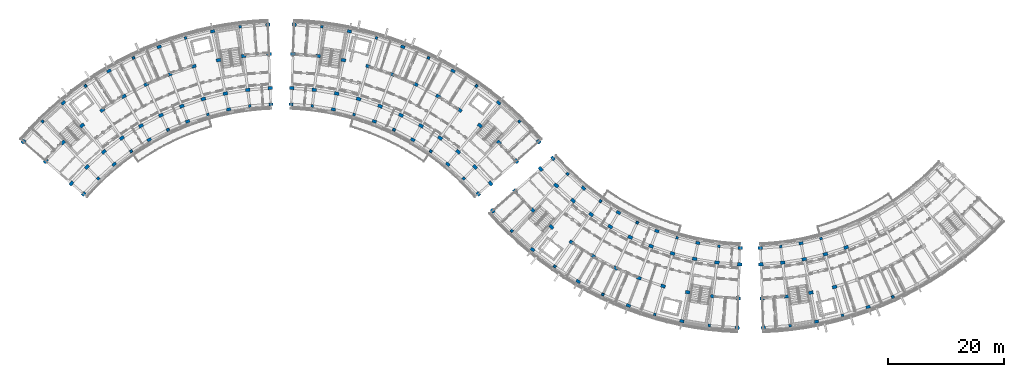
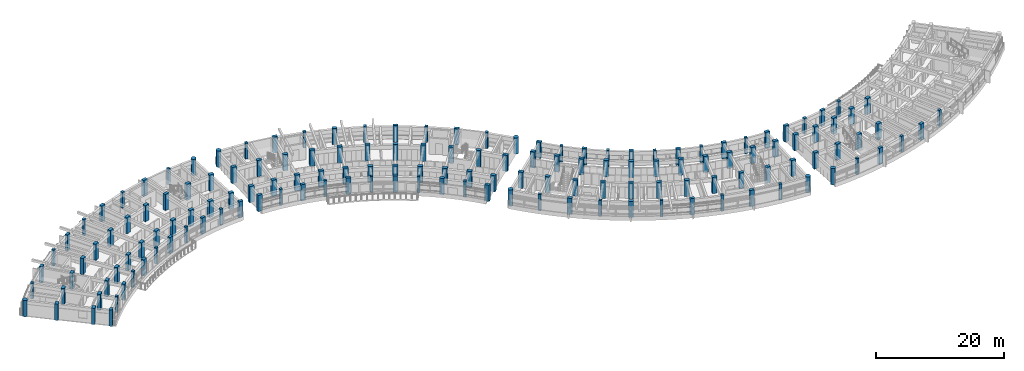
# One storey, part 1 of 56: 151 columns.
"""IFC4 building model written with IfcOpenShell, lengths in metres."""

from ifc_helpers import new_model, si_unit, direction, frame, origin, origin_2d, place, context, subcontext, project, spatial, rectangle, circle, extrude, material, material_profile, profile_set, type_object, element, save


model = new_model("IFC4")

# Units and contexts
model_context = context("Model", 3, precision=1e-05, world=origin(), true_north=direction((0.0, 1.0)))
body_context = subcontext(model_context, "Body", "Model", "MODEL_VIEW")
ifc_project = project(units=[si_unit("LENGTHUNIT", "METRE"), si_unit("AREAUNIT", "SQUARE_METRE"), si_unit("VOLUMEUNIT", "CUBIC_METRE"), si_unit("PLANEANGLEUNIT", "RADIAN"), si_unit("MASSUNIT", "GRAM", prefix="KILO")], contexts=[model_context])

# Site, building, storey
site_placement = place(None, origin())
site = spatial("IfcSite", under=ifc_project, at=site_placement, CompositionType="ELEMENT")
building_placement = place(site_placement, origin())
building = spatial("IfcBuilding", under=site, at=building_placement, Name="Zimvara Arc Housing Community", CompositionType="ELEMENT")
storey_placement = place(building_placement, frame((0.0, 0.0, 17.39990234375)))
storey = spatial("IfcBuildingStorey", under=building, at=storey_placement, Name="L05", CompositionType="ELEMENT", Elevation=17.39990234375)

# Columns
ifc_material_1 = material(Name="Concrete C40/50", Category="concrete")
ifc_material_profile_1 = material_profile(ifc_material_1, rectangle(XDim=0.449951171875, YDim=0.449951171875, at=origin_2d()), Name="RC 450x450")
ifc_profile_set_1 = profile_set([ifc_material_profile_1], Name="Concrete C40/50")
column_type_1 = type_object("IfcColumnType", Name="COL-RC-450x450", PredefinedType="COLUMN", material=ifc_profile_set_1)
for number, where, z_axis, x_axis, name in (
    (1, (13.476318359375, 76.781005859375, 0.0), (0.0, 0.0, 1.0), (-0.698665066769, 0.715448897181, 0.0), "col:blkA:L05:b1:r0"),
    (2, (3.862548828125, 86.625732421875, 0.0), (0.0, 0.0, 1.0), (-0.698665066769, 0.715448897181, 0.0), "col:blkA:L05:b1:r3"),
    (3, (19.14599609375, 81.478271484375, 0.0), (0.0, 0.0, 1.0), (-0.573004420611, 0.819552276527, 0.0), "col:blkA:L05:b3:r0"),
    (4, (11.261474609375, 92.755126953125, 0.0), (0.0, 0.0, 1.0), (-0.573004420611, 0.819552276527, 0.0), "col:blkA:L05:b3:r3"),
    (5, (25.50439453125, 85.190673828125, 0.0), (0.0, 0.0, 1.0), (-0.432085748802, 0.901832526405, 0.0), "col:blkA:L05:b5:r0"),
    (6, (19.558837890625, 97.599853515625, 0.0), (0.0, 0.0, 1.0), (-0.432085748802, 0.901832526405, 0.0), "col:blkA:L05:b5:r3"),
    (7, (32.381591796875, 87.819580078125, 0.0), (0.0, 0.0, 1.0), (-0.27966144946, 0.96009867914, 0.0), "col:blkA:L05:b7:r0"),
    (8, (28.533447265625, 101.030517578125, 0.0), (0.0, 0.0, 1.0), (-0.27966144946, 0.96009867914, 0.0), "col:blkA:L05:b7:r3"),
    (9, (39.594970703125, 89.295166015625, 0.0), (0.0, 0.0, 1.0), (-0.119790293837, 0.992799217114, 0.0), "col:blkA:L05:b9:r0"),
    (10, (37.94677734375, 102.9560546875, 0.0), (0.0, 0.0, 1.0), (-0.119790293837, 0.992799217114, 0.0), "col:blkA:L05:b9:r3"),
    (11, (50.405029296875, 89.295166015625, 0.0), (0.0, 0.0, 1.0), (0.119790293837, 0.992799217114, 0.0), "col:blkB:L05:b1:r0"),
    (12, (52.05322265625, 102.9560546875, 0.0), (0.0, 0.0, 1.0), (0.119790293837, 0.992799217114, 0.0), "col:blkB:L05:b1:r3"),
    (13, (57.618408203125, 87.819580078125, 0.0), (0.0, 0.0, 1.0), (0.27966144946, 0.96009867914, 0.0), "col:blkB:L05:b3:r0"),
    (14, (61.466552734375, 101.030517578125, 0.0), (0.0, 0.0, 1.0), (0.27966144946, 0.96009867914, 0.0), "col:blkB:L05:b3:r3"),
    (15, (64.49560546875, 85.190673828125, 0.0), (0.0, 0.0, 1.0), (0.432085748802, 0.901832526405, 0.0), "col:blkB:L05:b5:r0"),
    (16, (70.441162109375, 97.599853515625, 0.0), (0.0, 0.0, 1.0), (0.432085748802, 0.901832526405, 0.0), "col:blkB:L05:b5:r3"),
    (17, (70.85400390625, 81.478271484375, 0.0), (0.0, 0.0, 1.0), (0.573004420611, 0.819552276527, 0.0), "col:blkB:L05:b7:r0"),
    (18, (78.738525390625, 92.755126953125, 0.0), (0.0, 0.0, 1.0), (0.573004420611, 0.819552276527, 0.0), "col:blkB:L05:b7:r3"),
    (19, (76.523681640625, 76.781005859375, 0.0), (0.0, 0.0, 1.0), (0.698665066769, 0.715448897181, 0.0), "col:blkB:L05:b9:r0"),
    (20, (86.137451171875, 86.625732421875, 0.0), (0.0, 0.0, 1.0), (0.698665066769, 0.715448897181, 0.0), "col:blkB:L05:b9:r3"),
    (21, (94.456298828125, 77.578857421875, 0.0), (0.0, 0.0, 1.0), (-0.698665066769, -0.715448897181, 0.0), "col:blkC:L05:b1:r0"),
    (22, (84.842529296875, 67.734375, 0.0), (0.0, 0.0, 1.0), (-0.698665066769, -0.715448897181, 0.0), "col:blkC:L05:b1:r3"),
    (23, (100.1259765625, 72.8818359375, 0.0), (0.0, 0.0, 1.0), (-0.573004420611, -0.819552276527, 0.0), "col:blkC:L05:b3:r0"),
    (24, (92.241455078125, 61.604736328125, 0.0), (0.0, 0.0, 1.0), (-0.573004420611, -0.819552276527, 0.0), "col:blkC:L05:b3:r3"),
    (25, (106.484375, 69.16943359375, 0.0), (0.0, 0.0, 1.0), (-0.432085748802, -0.901832526405, 0.0), "col:blkC:L05:b5:r0"),
    (26, (100.538818359375, 56.760009765625, 0.0), (0.0, 0.0, 1.0), (-0.432085748802, -0.901832526405, 0.0), "col:blkC:L05:b5:r3"),
    (27, (113.361572265625, 66.540283203125, 0.0), (0.0, 0.0, 1.0), (-0.27966144946, -0.96009867914, 0.0), "col:blkC:L05:b7:r0"),
    (28, (109.513427734375, 53.329345703125, 0.0), (0.0, 0.0, 1.0), (-0.27966144946, -0.96009867914, 0.0), "col:blkC:L05:b7:r3"),
    (29, (120.574951171875, 65.06494140625, 0.0), (0.0, 0.0, 1.0), (-0.119790293837, -0.992799217114, 0.0), "col:blkC:L05:b9:r0"),
    (30, (118.9267578125, 51.404052734375, 0.0), (0.0, 0.0, 1.0), (-0.119790293837, -0.992799217114, 0.0), "col:blkC:L05:b9:r3"),
    (31, (131.244140625, 65.048095703125, 0.0), (0.0, 0.0, 1.0), (0.116670737099, -0.993170649538, 0.0), "col:blkD:L05:b1:r0"),
    (32, (132.849609375, 51.382080078125, 0.0), (0.0, 0.0, 1.0), (0.116670737099, -0.993170649538, 0.0), "col:blkD:L05:b1:r3"),
    (33, (138.189453125, 66.42333984375, 0.0), (0.0, 0.0, 1.0), (0.270600445976, -0.962691746426, 0.0), "col:blkD:L05:b3:r0"),
    (34, (141.912841796875, 53.1767578125, 0.0), (0.0, 0.0, 1.0), (0.270600445976, -0.962691746426, 0.0), "col:blkD:L05:b3:r3"),
    (35, (150.583984375, 56.366943359375, 0.0), (0.0, 0.0, 1.0), (0.417867073801, -0.908508177527, 0.0), "col:blkD:L05:b5:r3"),
):
    element("IfcColumn", number, at=place(storey_placement, frame(where, z_axis=z_axis, x_axis=x_axis)), inside=storey, type_object=column_type_1, Name=name, PredefinedType="COLUMN", context=body_context, shape_type="SweptSolid", body=[
        extrude(rectangle(XDim=0.449951171875, YDim=0.449951171875, at=origin_2d()), origin(), (0.0, 0.0, 1.0), 3.10009765625),
    ])
ifc_material_2 = material(Name="Concrete C40/50", Category="concrete")
ifc_material_profile_2 = material_profile(ifc_material_2, rectangle(XDim=0.5, YDim=0.75, at=origin_2d()), Name="RC 500x750")
ifc_profile_set_2 = profile_set([ifc_material_profile_2], Name="Concrete C40/50")
column_type_2 = type_object("IfcColumnType", Name="COL-RC-500x750", PredefinedType="COLUMN", material=ifc_profile_set_2)
for number, where, z_axis, x_axis, name in (
    (36, (10.947509765625, 74.101318359375, 0.0), (0.0, 0.0, 1.0), (-0.754709580223, 0.656059028991, 0.0), "col:blkA:L05:b0:r0"),
    (37, (16.215087890625, 79.245361328125, 0.0), (0.0, 0.0, 1.0), (-0.637961754089, 0.770068049148, 0.0), "col:blkA:L05:b2:r0"),
    (38, (7.436767578125, 89.841552734375, 0.0), (0.0, 0.0, 1.0), (-0.637961754089, 0.770068049148, 0.0), "col:blkA:L05:b2:r3"),
    (39, (22.249267578125, 83.46435546875, 0.0), (0.0, 0.0, 1.0), (-0.504226211181, 0.863571611366, 0.0), "col:blkA:L05:b4:r0"),
    (40, (15.311279296875, 95.34716796875, 0.0), (0.0, 0.0, 1.0), (-0.504226211181, 0.863571611366, 0.0), "col:blkA:L05:b4:r3"),
    (41, (28.88916015625, 86.645751953125, 0.0), (0.0, 0.0, 1.0), (-0.357064076459, 0.934079892355, 0.0), "col:blkA:L05:b6:r0"),
    (42, (23.97607421875, 99.49853515625, 0.0), (0.0, 0.0, 1.0), (-0.357064076459, 0.934079892355, 0.0), "col:blkA:L05:b6:r3"),
    (43, (35.958251953125, 88.704833984375, 0.0), (0.0, 0.0, 1.0), (-0.200393999665, 0.979715389742, 0.0), "col:blkA:L05:b8:r0"),
    (44, (33.20068359375, 102.185546875, 0.0), (0.0, 0.0, 1.0), (-0.200393999665, 0.979715389742, 0.0), "col:blkA:L05:b8:r3"),
    (45, (43.267822265625, 89.586669921875, 0.0), (0.0, 0.0, 1.0), (-0.038387809088, 0.999262916411, 0.0), "col:blkA:L05:b10:r0"),
    (46, (46.732177734375, 89.586669921875, 0.0), (0.0, 0.0, 1.0), (0.038387809088, 0.999262916411, 0.0), "col:blkB:L05:b0:r0"),
    (47, (54.041748046875, 88.704833984375, 0.0), (0.0, 0.0, 1.0), (0.200393999665, 0.979715389742, 0.0), "col:blkB:L05:b2:r0"),
    (48, (56.79931640625, 102.185546875, 0.0), (0.0, 0.0, 1.0), (0.200393999665, 0.979715389742, 0.0), "col:blkB:L05:b2:r3"),
    (49, (61.11083984375, 86.645751953125, 0.0), (0.0, 0.0, 1.0), (0.357064076459, 0.934079892355, 0.0), "col:blkB:L05:b4:r0"),
    (50, (66.02392578125, 99.49853515625, 0.0), (0.0, 0.0, 1.0), (0.357064076459, 0.934079892355, 0.0), "col:blkB:L05:b4:r3"),
    (51, (67.750732421875, 83.46435546875, 0.0), (0.0, 0.0, 1.0), (0.504226211181, 0.863571611366, 0.0), "col:blkB:L05:b6:r0"),
    (52, (74.688720703125, 95.34716796875, 0.0), (0.0, 0.0, 1.0), (0.504226211181, 0.863571611366, 0.0), "col:blkB:L05:b6:r3"),
    (53, (73.784912109375, 79.245361328125, 0.0), (0.0, 0.0, 1.0), (0.637961754089, 0.770068049148, 0.0), "col:blkB:L05:b8:r0"),
    (54, (82.563232421875, 89.841552734375, 0.0), (0.0, 0.0, 1.0), (0.637961754089, 0.770068049148, 0.0), "col:blkB:L05:b8:r3"),
    (55, (79.052490234375, 74.101318359375, 0.0), (0.0, 0.0, 1.0), (0.754709580223, 0.656059028991, 0.0), "col:blkB:L05:b10:r0"),
    (56, (91.927490234375, 80.258544921875, 0.0), (0.0, 0.0, 1.0), (-0.754709580223, -0.656059028991, 0.0), "col:blkC:L05:b0:r0"),
    (57, (97.195068359375, 75.114501953125, 0.0), (0.0, 0.0, 1.0), (-0.637961754089, -0.770068049148, 0.0), "col:blkC:L05:b2:r0"),
    (58, (88.416748046875, 64.518310546875, 0.0), (0.0, 0.0, 1.0), (-0.637961754089, -0.770068049148, 0.0), "col:blkC:L05:b2:r3"),
    (59, (103.229248046875, 70.895751953125, 0.0), (0.0, 0.0, 1.0), (-0.504226211181, -0.863571611366, 0.0), "col:blkC:L05:b4:r0"),
    (60, (96.291259765625, 59.012939453125, 0.0), (0.0, 0.0, 1.0), (-0.504226211181, -0.863571611366, 0.0), "col:blkC:L05:b4:r3"),
    (61, (109.869384765625, 67.71435546875, 0.0), (0.0, 0.0, 1.0), (-0.357064076459, -0.934079892355, 0.0), "col:blkC:L05:b6:r0"),
    (62, (104.9560546875, 54.861328125, 0.0), (0.0, 0.0, 1.0), (-0.357064076459, -0.934079892355, 0.0), "col:blkC:L05:b6:r3"),
    (63, (116.938232421875, 65.6552734375, 0.0), (0.0, 0.0, 1.0), (-0.200393999665, -0.979715389742, 0.0), "col:blkC:L05:b8:r0"),
    (64, (114.180908203125, 52.17431640625, 0.0), (0.0, 0.0, 1.0), (-0.200393999665, -0.979715389742, 0.0), "col:blkC:L05:b8:r3"),
    (65, (124.248046875, 64.773193359375, 0.0), (0.0, 0.0, 1.0), (-0.038387809088, -0.999262916411, 0.0), "col:blkC:L05:b10:r0"),
    (66, (127.712158203125, 64.773193359375, 0.0), (0.0, 0.0, 1.0), (0.038387809088, -0.999262916411, 0.0), "col:blkD:L05:b0:r0"),
    (67, (134.743896484375, 65.599365234375, 0.0), (0.0, 0.0, 1.0), (0.19423435122, -0.980955155349, 0.0), "col:blkD:L05:b2:r0"),
    (68, (137.41650390625, 52.101318359375, 0.0), (0.0, 0.0, 1.0), (0.19423435122, -0.980955155349, 0.0), "col:blkD:L05:b2:r3"),
    (69, (146.311279296875, 54.6015625, 0.0), (0.0, 0.0, 1.0), (0.345298198999, -0.93849302276, 0.0), "col:blkD:L05:b4:r3"),
):
    element("IfcColumn", number, at=place(storey_placement, frame(where, z_axis=z_axis, x_axis=x_axis)), inside=storey, type_object=column_type_2, Name=name, PredefinedType="COLUMN", context=body_context, shape_type="SweptSolid", body=[
        extrude(rectangle(XDim=0.5, YDim=0.75, at=origin_2d()), origin(), (0.0, 0.0, 1.0), 3.10009765625),
    ])
ifc_material_3 = material(Name="Concrete C40/50", Category="concrete")
ifc_material_profile_3 = material_profile(ifc_material_3, rectangle(XDim=0.550048828125, YDim=0.800048828125, at=origin_2d()), Name="RC 550x800")
ifc_profile_set_3 = profile_set([ifc_material_profile_3], Name="Concrete C40/50")
column_type_3 = type_object("IfcColumnType", Name="COL-RC-550x800", PredefinedType="COLUMN", material=ifc_profile_set_3)
for number, where, z_axis, x_axis, name in (
    (70, (8.834228515625, 75.938232421875, 0.0), (0.0, 0.0, 1.0), (-0.754709580223, 0.656059028991, 0.0), "col:blkA:L05:b0:r1"),
    (71, (4.396728515625, 79.7958984375, 0.0), (0.0, 0.0, 1.0), (-0.754709580223, 0.656059028991, 0.0), "col:blkA:L05:b0:r2"),
    (72, (11.52001953125, 78.784423828125, 0.0), (0.0, 0.0, 1.0), (-0.698665066769, 0.715448897181, 0.0), "col:blkA:L05:b1:r1"),
    (73, (7.411865234375, 82.9912109375, 0.0), (0.0, 0.0, 1.0), (-0.698665066769, 0.715448897181, 0.0), "col:blkA:L05:b1:r2"),
    (74, (14.428955078125, 81.401611328125, 0.0), (0.0, 0.0, 1.0), (-0.637961754089, 0.770068049148, 0.0), "col:blkA:L05:b2:r1"),
    (75, (10.677734375, 85.9296875, 0.0), (0.0, 0.0, 1.0), (-0.637961754089, 0.770068049148, 0.0), "col:blkA:L05:b2:r2"),
    (76, (17.541748046875, 83.77294921875, 0.0), (0.0, 0.0, 1.0), (-0.573004420611, 0.819552276527, 0.0), "col:blkA:L05:b3:r1"),
    (77, (14.17236328125, 88.591796875, 0.0), (0.0, 0.0, 1.0), (-0.573004420611, 0.819552276527, 0.0), "col:blkA:L05:b3:r2"),
    (78, (20.83740234375, 85.88232421875, 0.0), (0.0, 0.0, 1.0), (-0.504226211181, 0.863571611366, 0.0), "col:blkA:L05:b4:r1"),
    (79, (17.87255859375, 90.960205078125, 0.0), (0.0, 0.0, 1.0), (-0.504226211181, 0.863571611366, 0.0), "col:blkA:L05:b4:r2"),
    (80, (24.29443359375, 87.7158203125, 0.0), (0.0, 0.0, 1.0), (-0.432085748802, 0.901832526405, 0.0), "col:blkA:L05:b5:r1"),
    (81, (21.75390625, 93.0185546875, 0.0), (0.0, 0.0, 1.0), (-0.432085748802, 0.901832526405, 0.0), "col:blkA:L05:b5:r2"),
    (82, (27.889404296875, 89.260986328125, 0.0), (0.0, 0.0, 1.0), (-0.357064076459, 0.934079892355, 0.0), "col:blkA:L05:b6:r1"),
    (83, (25.7900390625, 94.75341796875, 0.0), (0.0, 0.0, 1.0), (-0.357064076459, 0.934079892355, 0.0), "col:blkA:L05:b6:r2"),
    (84, (31.5986328125, 90.5078125, 0.0), (0.0, 0.0, 1.0), (-0.27966144946, 0.96009867914, 0.0), "col:blkA:L05:b7:r1"),
    (85, (29.9541015625, 96.1533203125, 0.0), (0.0, 0.0, 1.0), (-0.27966144946, 0.96009867914, 0.0), "col:blkA:L05:b7:r2"),
    (86, (35.397216796875, 91.447998046875, 0.0), (0.0, 0.0, 1.0), (-0.200393999665, 0.979715389742, 0.0), "col:blkA:L05:b8:r1"),
    (87, (34.21875, 97.208740234375, 0.0), (0.0, 0.0, 1.0), (-0.200393999665, 0.979715389742, 0.0), "col:blkA:L05:b8:r2"),
    (88, (39.259765625, 92.074951171875, 0.0), (0.0, 0.0, 1.0), (-0.119790293837, 0.992799217114, 0.0), "col:blkA:L05:b9:r1"),
    (89, (38.55517578125, 97.91259765625, 0.0), (0.0, 0.0, 1.0), (-0.119790293837, 0.992799217114, 0.0), "col:blkA:L05:b9:r2"),
    (90, (43.160400390625, 92.384765625, 0.0), (0.0, 0.0, 1.0), (-0.038387809088, 0.999262916411, 0.0), "col:blkA:L05:b10:r1"),
    (91, (42.934814453125, 98.26025390625, 0.0), (0.0, 0.0, 1.0), (-0.038387809088, 0.999262916411, 0.0), "col:blkA:L05:b10:r2"),
    (92, (46.839599609375, 92.384765625, 0.0), (0.0, 0.0, 1.0), (0.038387809088, 0.999262916411, 0.0), "col:blkB:L05:b0:r1"),
    (93, (47.065185546875, 98.26025390625, 0.0), (0.0, 0.0, 1.0), (0.038387809088, 0.999262916411, 0.0), "col:blkB:L05:b0:r2"),
    (94, (50.740234375, 92.074951171875, 0.0), (0.0, 0.0, 1.0), (0.119790293837, 0.992799217114, 0.0), "col:blkB:L05:b1:r1"),
    (95, (51.44482421875, 97.91259765625, 0.0), (0.0, 0.0, 1.0), (0.119790293837, 0.992799217114, 0.0), "col:blkB:L05:b1:r2"),
    (96, (54.602783203125, 91.447998046875, 0.0), (0.0, 0.0, 1.0), (0.200393999665, 0.979715389742, 0.0), "col:blkB:L05:b2:r1"),
    (97, (55.78125, 97.208740234375, 0.0), (0.0, 0.0, 1.0), (0.200393999665, 0.979715389742, 0.0), "col:blkB:L05:b2:r2"),
    (98, (58.4013671875, 90.5078125, 0.0), (0.0, 0.0, 1.0), (0.27966144946, 0.96009867914, 0.0), "col:blkB:L05:b3:r1"),
    (99, (60.0458984375, 96.1533203125, 0.0), (0.0, 0.0, 1.0), (0.27966144946, 0.96009867914, 0.0), "col:blkB:L05:b3:r2"),
    (100, (62.110595703125, 89.260986328125, 0.0), (0.0, 0.0, 1.0), (0.357064076459, 0.934079892355, 0.0), "col:blkB:L05:b4:r1"),
    (101, (64.2099609375, 94.75341796875, 0.0), (0.0, 0.0, 1.0), (0.357064076459, 0.934079892355, 0.0), "col:blkB:L05:b4:r2"),
    (102, (65.70556640625, 87.7158203125, 0.0), (0.0, 0.0, 1.0), (0.432085748802, 0.901832526405, 0.0), "col:blkB:L05:b5:r1"),
    (103, (68.24609375, 93.0185546875, 0.0), (0.0, 0.0, 1.0), (0.432085748802, 0.901832526405, 0.0), "col:blkB:L05:b5:r2"),
    (104, (69.16259765625, 85.88232421875, 0.0), (0.0, 0.0, 1.0), (0.504226211181, 0.863571611366, 0.0), "col:blkB:L05:b6:r1"),
    (105, (72.12744140625, 90.960205078125, 0.0), (0.0, 0.0, 1.0), (0.504226211181, 0.863571611366, 0.0), "col:blkB:L05:b6:r2"),
    (106, (72.458251953125, 83.77294921875, 0.0), (0.0, 0.0, 1.0), (0.573004420611, 0.819552276527, 0.0), "col:blkB:L05:b7:r1"),
    (107, (75.82763671875, 88.591796875, 0.0), (0.0, 0.0, 1.0), (0.573004420611, 0.819552276527, 0.0), "col:blkB:L05:b7:r2"),
    (108, (75.571044921875, 81.401611328125, 0.0), (0.0, 0.0, 1.0), (0.637961754089, 0.770068049148, 0.0), "col:blkB:L05:b8:r1"),
    (109, (79.322265625, 85.9296875, 0.0), (0.0, 0.0, 1.0), (0.637961754089, 0.770068049148, 0.0), "col:blkB:L05:b8:r2"),
    (110, (78.47998046875, 78.784423828125, 0.0), (0.0, 0.0, 1.0), (0.698665066769, 0.715448897181, 0.0), "col:blkB:L05:b9:r1"),
    (111, (82.588134765625, 82.9912109375, 0.0), (0.0, 0.0, 1.0), (0.698665066769, 0.715448897181, 0.0), "col:blkB:L05:b9:r2"),
    (112, (81.165771484375, 75.938232421875, 0.0), (0.0, 0.0, 1.0), (0.754709580223, 0.656059028991, 0.0), "col:blkB:L05:b10:r1"),
    (113, (85.603271484375, 79.7958984375, 0.0), (0.0, 0.0, 1.0), (0.754709580223, 0.656059028991, 0.0), "col:blkB:L05:b10:r2"),
    (114, (89.814208984375, 78.421630859375, 0.0), (0.0, 0.0, 1.0), (-0.754709580223, -0.656059028991, 0.0), "col:blkC:L05:b0:r1"),
    (115, (85.376708984375, 74.56396484375, 0.0), (0.0, 0.0, 1.0), (-0.754709580223, -0.656059028991, 0.0), "col:blkC:L05:b0:r2"),
    (116, (92.5, 75.57568359375, 0.0), (0.0, 0.0, 1.0), (-0.698665066769, -0.715448897181, 0.0), "col:blkC:L05:b1:r1"),
    (117, (88.391845703125, 71.368896484375, 0.0), (0.0, 0.0, 1.0), (-0.698665066769, -0.715448897181, 0.0), "col:blkC:L05:b1:r2"),
    (118, (95.408935546875, 72.958251953125, 0.0), (0.0, 0.0, 1.0), (-0.637961754089, -0.770068049148, 0.0), "col:blkC:L05:b2:r1"),
    (119, (91.65771484375, 68.430419921875, 0.0), (0.0, 0.0, 1.0), (-0.637961754089, -0.770068049148, 0.0), "col:blkC:L05:b2:r2"),
    (120, (98.521728515625, 70.587158203125, 0.0), (0.0, 0.0, 1.0), (-0.573004420611, -0.819552276527, 0.0), "col:blkC:L05:b3:r1"),
    (121, (95.15234375, 65.76806640625, 0.0), (0.0, 0.0, 1.0), (-0.573004420611, -0.819552276527, 0.0), "col:blkC:L05:b3:r2"),
    (122, (101.8173828125, 68.4775390625, 0.0), (0.0, 0.0, 1.0), (-0.504226211181, -0.863571611366, 0.0), "col:blkC:L05:b4:r1"),
    (123, (98.8525390625, 63.39990234375, 0.0), (0.0, 0.0, 1.0), (-0.504226211181, -0.863571611366, 0.0), "col:blkC:L05:b4:r2"),
    (124, (105.2744140625, 66.644287109375, 0.0), (0.0, 0.0, 1.0), (-0.432085748802, -0.901832526405, 0.0), "col:blkC:L05:b5:r1"),
    (125, (102.73388671875, 61.34130859375, 0.0), (0.0, 0.0, 1.0), (-0.432085748802, -0.901832526405, 0.0), "col:blkC:L05:b5:r2"),
    (126, (108.869384765625, 65.098876953125, 0.0), (0.0, 0.0, 1.0), (-0.357064076459, -0.934079892355, 0.0), "col:blkC:L05:b6:r1"),
    (127, (106.77001953125, 59.6064453125, 0.0), (0.0, 0.0, 1.0), (-0.357064076459, -0.934079892355, 0.0), "col:blkC:L05:b6:r2"),
    (128, (112.57861328125, 63.85205078125, 0.0), (0.0, 0.0, 1.0), (-0.27966144946, -0.96009867914, 0.0), "col:blkC:L05:b7:r1"),
    (129, (110.934326171875, 58.206787109375, 0.0), (0.0, 0.0, 1.0), (-0.27966144946, -0.96009867914, 0.0), "col:blkC:L05:b7:r2"),
    (130, (116.377197265625, 62.912109375, 0.0), (0.0, 0.0, 1.0), (-0.200393999665, -0.979715389742, 0.0), "col:blkC:L05:b8:r1"),
    (131, (115.19873046875, 57.1513671875, 0.0), (0.0, 0.0, 1.0), (-0.200393999665, -0.979715389742, 0.0), "col:blkC:L05:b8:r2"),
    (132, (120.23974609375, 62.28515625, 0.0), (0.0, 0.0, 1.0), (-0.119790293837, -0.992799217114, 0.0), "col:blkC:L05:b9:r1"),
    (133, (119.535400390625, 56.447509765625, 0.0), (0.0, 0.0, 1.0), (-0.119790293837, -0.992799217114, 0.0), "col:blkC:L05:b9:r2"),
    (134, (124.140380859375, 61.975341796875, 0.0), (0.0, 0.0, 1.0), (-0.038387809088, -0.999262916411, 0.0), "col:blkC:L05:b10:r1"),
    (135, (123.914794921875, 56.099609375, 0.0), (0.0, 0.0, 1.0), (-0.038387809088, -0.999262916411, 0.0), "col:blkC:L05:b10:r2"),
    (136, (127.819580078125, 61.975341796875, 0.0), (0.0, 0.0, 1.0), (0.038387809088, -0.999262916411, 0.0), "col:blkD:L05:b0:r1"),
    (137, (128.045166015625, 56.099609375, 0.0), (0.0, 0.0, 1.0), (0.038387809088, -0.999262916411, 0.0), "col:blkD:L05:b0:r2"),
    (138, (131.57080078125, 62.267333984375, 0.0), (0.0, 0.0, 1.0), (0.116670737099, -0.993170649538, 0.0), "col:blkD:L05:b1:r1"),
    (139, (132.2568359375, 56.427490234375, 0.0), (0.0, 0.0, 1.0), (0.116670737099, -0.993170649538, 0.0), "col:blkD:L05:b1:r2"),
    (140, (135.28759765625, 62.8525390625, 0.0), (0.0, 0.0, 1.0), (0.19423435122, -0.980955155349, 0.0), "col:blkD:L05:b2:r1"),
    (141, (136.4296875, 57.084716796875, 0.0), (0.0, 0.0, 1.0), (0.19423435122, -0.980955155349, 0.0), "col:blkD:L05:b2:r2"),
    (142, (138.947265625, 63.727783203125, 0.0), (0.0, 0.0, 1.0), (0.270600445976, -0.962691746426, 0.0), "col:blkD:L05:b3:r1"),
    (143, (140.538330078125, 58.067138671875, 0.0), (0.0, 0.0, 1.0), (0.270600445976, -0.962691746426, 0.0), "col:blkD:L05:b3:r2"),
    (144, (142.526611328125, 64.887451171875, 0.0), (0.0, 0.0, 1.0), (0.345298198999, -0.93849302276, 0.0), "col:blkD:L05:b4:r1"),
):
    element("IfcColumn", number, at=place(storey_placement, frame(where, z_axis=z_axis, x_axis=x_axis)), inside=storey, type_object=column_type_3, Name=name, PredefinedType="COLUMN", context=body_context, shape_type="SweptSolid", body=[
        extrude(rectangle(XDim=0.550048828125, YDim=0.800048828125, at=origin_2d()), origin(), (0.0, 0.0, 1.0), 3.10009765625),
    ])
ifc_material_4 = material(Name="Concrete C40/50", Category="concrete")
ifc_material_profile_4 = material_profile(ifc_material_4, circle(Radius=0.39990234375, at=origin_2d()), Name="RC D800")
ifc_profile_set_4 = profile_set([ifc_material_profile_4], Name="Concrete C40/50")
column_type_4 = type_object("IfcColumnType", Name="COL-RC-D700", PredefinedType="COLUMN", material=ifc_profile_set_4)
for number, where, z_axis, x_axis, name in (
    (145, (0.562744140625, 83.128662109375, 0.0), (0.0, 0.0, 1.0), (-0.754709580223, 0.656059028991, 0.0), "col:blkA:L05:b0:r3"),
    (146, (42.73974609375, 103.336669921875, 0.0), (0.0, 0.0, 1.0), (-0.038387809088, 0.999262916411, 0.0), "col:blkA:L05:b10:r3"),
    (147, (47.26025390625, 103.336669921875, 0.0), (0.0, 0.0, 1.0), (0.038387809088, 0.999262916411, 0.0), "col:blkB:L05:b0:r3"),
    (148, (89.437255859375, 83.128662109375, 0.0), (0.0, 0.0, 1.0), (0.754709580223, 0.656059028991, 0.0), "col:blkB:L05:b10:r3"),
    (149, (81.542724609375, 71.231201171875, 0.0), (0.0, 0.0, 1.0), (-0.754709580223, -0.656059028991, 0.0), "col:blkC:L05:b0:r3"),
    (150, (123.7197265625, 51.0234375, 0.0), (0.0, 0.0, 1.0), (-0.038387809088, -0.999262916411, 0.0), "col:blkC:L05:b10:r3"),
    (151, (128.240234375, 51.0234375, 0.0), (0.0, 0.0, 1.0), (0.038387809088, -0.999262916411, 0.0), "col:blkD:L05:b0:r3"),
):
    element("IfcColumn", number, at=place(storey_placement, frame(where, z_axis=z_axis, x_axis=x_axis)), inside=storey, type_object=column_type_4, Name=name, PredefinedType="COLUMN", context=body_context, shape_type="SweptSolid", body=[
        extrude(circle(Radius=0.39990234375, at=origin_2d()), origin(), (0.0, 0.0, 1.0), 3.10009765625),
    ])

save(model, "model.ifc")
